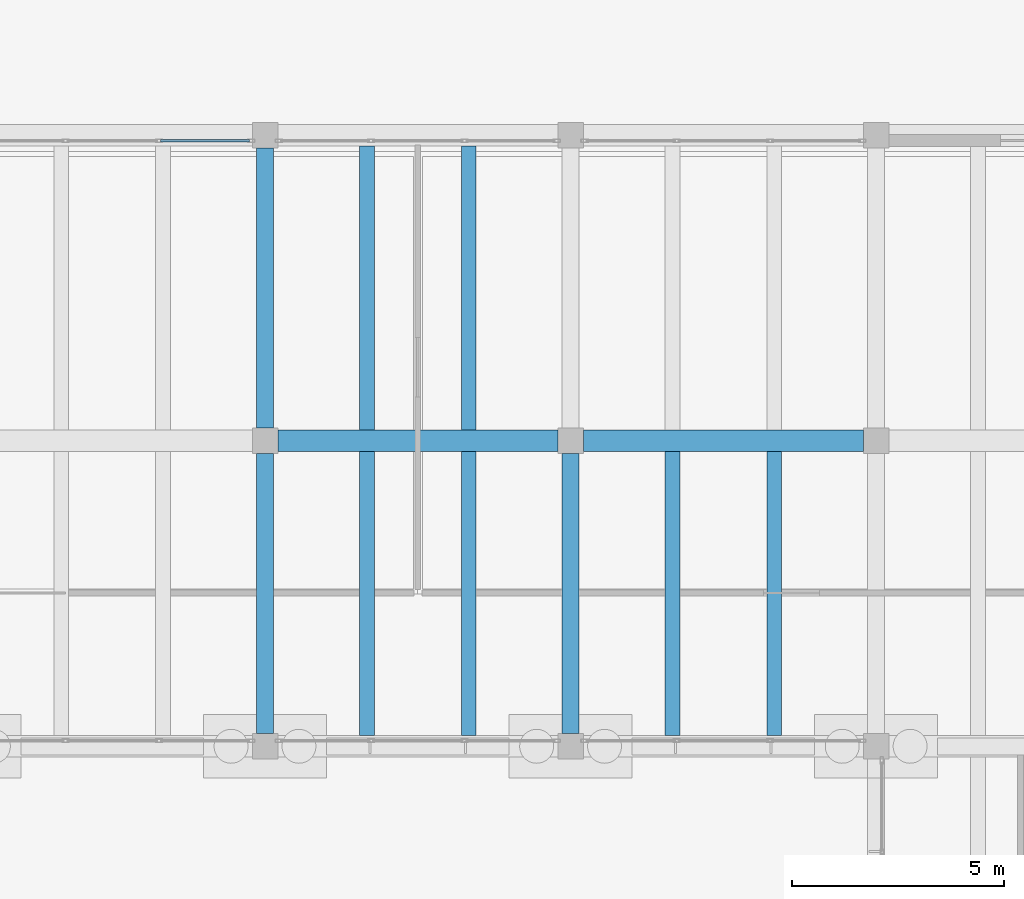
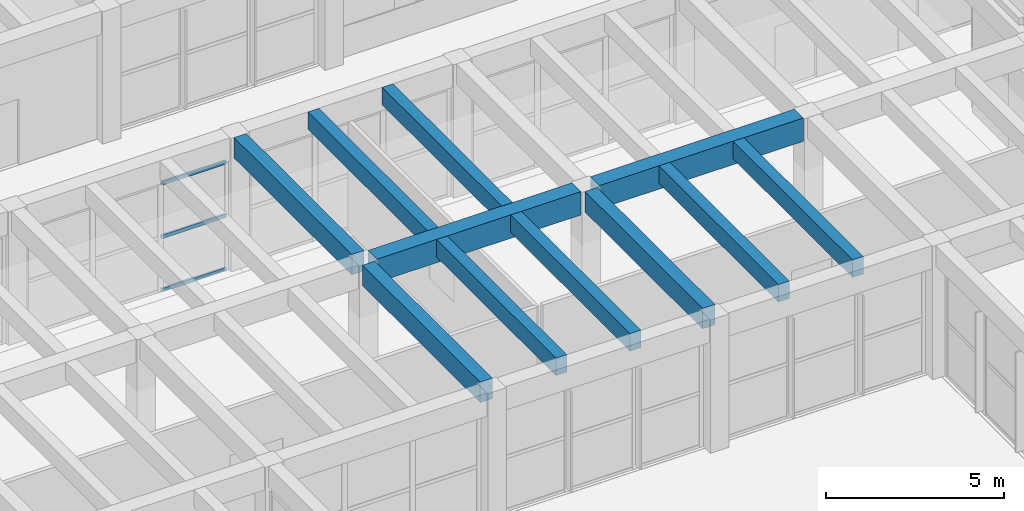
# One storey, part 85 of 155: 11 beams, 3 members, 1 element without a shape of its own.
"""IFC4 building model written with IfcOpenShell, lengths in metres."""

from ifc_helpers import new_model, si_unit, direction, frame, origin, origin_2d, place, context, subcontext, project, spatial, rectangle, hollow_rectangle, extrude, material, material_profile, profile_set, type_object, element, aggregate, save


model = new_model("IFC4")

# Units and contexts
model_context = context("Model", 3, precision=1e-05, world=origin(), true_north=direction((0.0, 1.0)))
body_context = subcontext(model_context, "Body", "Model", "MODEL_VIEW")
ifc_project = project(units=[si_unit("LENGTHUNIT", "METRE"), si_unit("AREAUNIT", "SQUARE_METRE"), si_unit("VOLUMEUNIT", "CUBIC_METRE"), si_unit("PLANEANGLEUNIT", "RADIAN"), si_unit("MASSUNIT", "GRAM", prefix="KILO")], contexts=[model_context])

# Site, building, storey
site_placement = place(None, origin())
site = spatial("IfcSite", under=ifc_project, at=site_placement, CompositionType="ELEMENT")
building_placement = place(site_placement, origin())
building = spatial("IfcBuilding", under=site, at=building_placement, Name="Bramvelor Terrace Health Centre", CompositionType="ELEMENT")
storey_placement = place(building_placement, origin())
storey = spatial("IfcBuildingStorey", under=building, at=storey_placement, Name="L01", CompositionType="ELEMENT", Elevation=0.0)

# Beams
ifc_material_1 = material(Name="Concrete C40/50", Category="concrete")
ifc_material_profile_1 = material_profile(ifc_material_1, rectangle(XDim=0.39990234375, YDim=0.699951171875, at=origin_2d()), Name="RC 400x700")
ifc_profile_set_1 = profile_set([ifc_material_profile_1], Name="Concrete C40/50")
beam_type_1 = type_object("IfcBeamType", Name="BM-RC-G700", PredefinedType="BEAM", material=ifc_profile_set_1)
for number, where, z_axis, x_axis, name in (
    (1, (64.800048828125, 65.10009765625, 4.2099609375), (0.0, 1.0, 0.0), (-1.0, 0.0, 0.0), "L01 Floor Girder"),
    (2, (64.800048828125, 72.300048828125, 4.2099609375), (0.0, 1.0, 0.0), (-1.0, 0.0, 0.0), "L01 Floor Girder"),
    (3, (72.0, 65.10009765625, 4.2099609375), (0.0, 1.0, 0.0), (-1.0, 0.0, 0.0), "L01 Floor Girder"),
):
    element("IfcBeam", number, at=place(storey_placement, frame(where, z_axis=z_axis, x_axis=x_axis)), inside=storey, type_object=beam_type_1, Name=name, PredefinedType="BEAM", context=body_context, shape_type="SweptSolid", body=[
        extrude(rectangle(XDim=0.39990234375, YDim=0.699951171875, at=origin_2d()), origin(), (0.0, 0.0, 1.0), 6.599853515625),
    ])
ifc_material_2 = material(Name="Concrete C40/50", Category="concrete")
ifc_material_profile_2 = material_profile(ifc_material_2, rectangle(XDim=0.5, YDim=0.800048828125, at=origin_2d()), Name="RC 500x800")
ifc_profile_set_2 = profile_set([ifc_material_profile_2], Name="Concrete C40/50")
beam_type_2 = type_object("IfcBeamType", Name="BM-RC-G800", PredefinedType="BEAM", material=ifc_profile_set_2)
for number, where, z_axis, x_axis, name in (
    (4, (65.10009765625, 72.0, 4.159912109375), (1.0, 0.0, 0.0), (0.0, 1.0, 0.0), "L01 Floor Girder"),
    (5, (72.300048828125, 72.0, 4.159912109375), (1.0, 0.0, 0.0), (0.0, 1.0, 0.0), "L01 Floor Girder"),
):
    element("IfcBeam", number, at=place(storey_placement, frame(where, z_axis=z_axis, x_axis=x_axis)), inside=storey, type_object=beam_type_2, Name=name, PredefinedType="BEAM", context=body_context, shape_type="SweptSolid", body=[
        extrude(rectangle(XDim=0.5, YDim=0.800048828125, at=origin_2d()), origin(), (0.0, 0.0, 1.0), 6.599853515625),
    ])
ifc_material_3 = material(Name="Concrete C40/50", Category="concrete")
ifc_material_profile_3 = material_profile(ifc_material_3, rectangle(XDim=0.35009765625, YDim=0.60009765625, at=origin_2d()), Name="RC 350x600")
ifc_profile_set_3 = profile_set([ifc_material_profile_3], Name="Concrete C40/50")
beam_type_3 = type_object("IfcBeamType", Name="BM-RC-J600", PredefinedType="JOIST", material=ifc_profile_set_3)
for number, where, z_axis, x_axis, name in (
    (6, (67.199951171875, 65.050048828125, 4.260009765625), (0.0, 1.0, 0.0), (-1.0, 0.0, 0.0), "L01 Secondary Floor Joist"),
    (7, (69.60009765625, 65.050048828125, 4.260009765625), (0.0, 1.0, 0.0), (-1.0, 0.0, 0.0), "L01 Secondary Floor Joist"),
    (8, (67.199951171875, 72.25, 4.260009765625), (0.0, 1.0, 0.0), (-1.0, 0.0, 0.0), "L01 Secondary Floor Joist"),
    (9, (69.60009765625, 72.25, 4.260009765625), (0.0, 1.0, 0.0), (-1.0, 0.0, 0.0), "L01 Secondary Floor Joist"),
    (10, (74.39990234375, 65.050048828125, 4.260009765625), (0.0, 1.0, 0.0), (-1.0, 0.0, 0.0), "L01 Secondary Floor Joist"),
    (11, (76.800048828125, 65.050048828125, 4.260009765625), (0.0, 1.0, 0.0), (-1.0, 0.0, 0.0), "L01 Secondary Floor Joist"),
):
    element("IfcBeam", number, at=place(storey_placement, frame(where, z_axis=z_axis, x_axis=x_axis)), inside=storey, type_object=beam_type_3, Name=name, PredefinedType="JOIST", context=body_context, shape_type="SweptSolid", body=[
        extrude(rectangle(XDim=0.35009765625, YDim=0.60009765625, at=origin_2d()), origin(), (0.0, 0.0, 1.0), 6.699951171875),
    ])

# Curtain wall, members
ifc_material_4 = material(Name="Anodized aluminium and double low-E glass", Category="aluminium")
curtain_wall_type = type_object("IfcCurtainWallType", Name="CW-SYS-02", PredefinedType="NOTDEFINED", material=ifc_material_4)
curtain_wall_placement = place(storey_placement, origin())
curtain_wall = element("IfcCurtainWall", 12, at=curtain_wall_placement, inside=storey, type_object=curtain_wall_type, Name="L01 Unitized Curtain Wall 30", PredefinedType="NOTDEFINED")
ifc_material_5 = material(Name="Anodized aluminium 6063-T6", Category="aluminium")
ifc_material_profile_4 = material_profile(ifc_material_5, hollow_rectangle(XDim=0.06494140625, YDim=0.1201171875, WallThickness=0.0029296875, at=origin_2d()), Name="ALU-TRN 65x120x3.0")
ifc_profile_set_4 = profile_set([ifc_material_profile_4], Name="Anodized aluminium 6063-T6")
member_type = type_object("IfcMemberType", Name="CW-TRN-65x150", PredefinedType="USERDEFINED", material=ifc_profile_set_4)
member_1_placement = place(storey_placement, frame((62.339111328125, 79.070068359375, 0.032470703125), z_axis=(1.0, 0.0, 0.0), x_axis=(0.0, 1.0, 0.0)))
member_1 = element("IfcMember", 13, at=member_1_placement, type_object=member_type, Name="CW-02 transom 3.1", ObjectType="TRANSOM", PredefinedType="USERDEFINED", context=body_context, shape_type="SweptSolid", body=[
    extrude(hollow_rectangle(XDim=0.06494140625, YDim=0.1201171875, WallThickness=0.0029296875, at=origin_2d()), origin(), (0.0, 0.0, 1.0), 2.0908203125),
])
member_2_placement = place(storey_placement, frame((62.339111328125, 79.070068359375, 1.860107421875), z_axis=(1.0, 0.0, 0.0), x_axis=(0.0, 1.0, 0.0)))
member_2 = element("IfcMember", 14, at=member_2_placement, type_object=member_type, Name="CW-02 transom 3.2", ObjectType="TRANSOM", PredefinedType="USERDEFINED", context=body_context, shape_type="SweptSolid", body=[
    extrude(hollow_rectangle(XDim=0.06494140625, YDim=0.1201171875, WallThickness=0.0029296875, at=origin_2d()), origin(), (0.0, 0.0, 1.0), 2.0908203125),
])
member_3_placement = place(storey_placement, frame((62.339111328125, 79.070068359375, 3.6875), z_axis=(1.0, 0.0, 0.0), x_axis=(0.0, 1.0, 0.0)))
member_3 = element("IfcMember", 15, at=member_3_placement, type_object=member_type, Name="CW-02 transom 3.3", ObjectType="TRANSOM", PredefinedType="USERDEFINED", context=body_context, shape_type="SweptSolid", body=[
    extrude(hollow_rectangle(XDim=0.06494140625, YDim=0.1201171875, WallThickness=0.0029296875, at=origin_2d()), origin(), (0.0, 0.0, 1.0), 2.0908203125),
])
aggregate(curtain_wall, [member_1, member_2, member_3])

save(model, "model.ifc")
